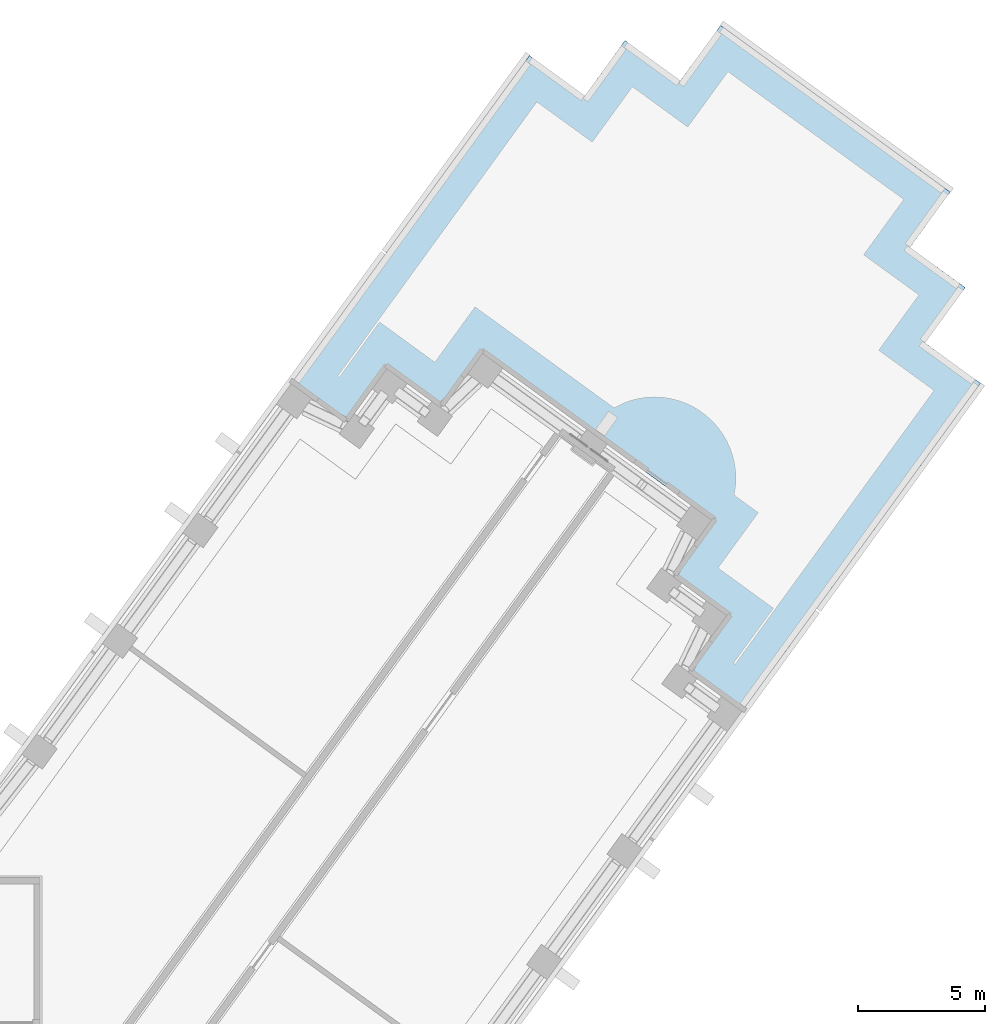
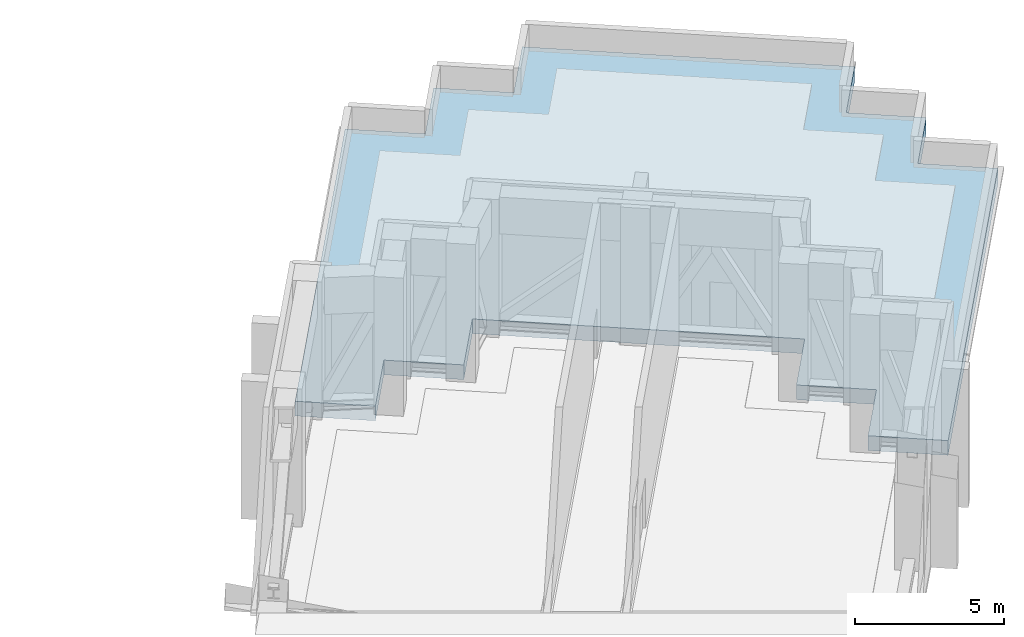
# One storey, part 7 of 18: 1 slab.
"""IFC4 building model written with IfcOpenShell, lengths in metres."""

from ifc_helpers import new_model, si_unit, direction, frame, origin, place, context, subcontext, project, spatial, polyline, outline, extrude, material, layer, layer_set, type_object, element, save


model = new_model("IFC4")

# Units and contexts
model_context = context("Model", 3, precision=1e-05, world=origin(), true_north=direction((0.0, 1.0)))
body_context = subcontext(model_context, "Body", "Model", "MODEL_VIEW")
ifc_project = project(units=[si_unit("LENGTHUNIT", "METRE"), si_unit("AREAUNIT", "SQUARE_METRE"), si_unit("VOLUMEUNIT", "CUBIC_METRE"), si_unit("PLANEANGLEUNIT", "RADIAN"), si_unit("MASSUNIT", "GRAM", prefix="KILO")], contexts=[model_context])

# Site, building, storey
site_placement = place(None, origin())
site = spatial("IfcSite", under=ifc_project, at=site_placement, CompositionType="ELEMENT")
building_placement = place(site_placement, origin())
building = spatial("IfcBuilding", under=site, at=building_placement, Name="Quipu Civic Tower", CompositionType="ELEMENT")
storey_placement = place(building_placement, frame((0.0, 0.0, 79.0)))
storey = spatial("IfcBuildingStorey", under=building, at=storey_placement, Name="L18", CompositionType="ELEMENT", Elevation=79.0)

# Slab
ifc_material = material(Name="Concrete C40/50", Category="concrete")
ifc_layer = layer(ifc_material, 0.60009765625)
ifc_layer_set = layer_set([ifc_layer], Name="Concrete C40/50")
slab_type = type_object("IfcSlabType", Name="Roof slab 600 C40/50", PredefinedType="ROOF", material=ifc_layer_set)
slab_placement = place(storey_placement, frame((0.0, 0.0, -0.60009765625)))
element("IfcSlab", 1, at=slab_placement, inside=storey, type_object=slab_type, Name="Setback roof slab L18", PredefinedType="ROOF", context=body_context, shape_type="SweptSolid", body=[
    extrude(outline(polyline([(39.5, 40.9599609375), (41.0849609375, 43.14501953125), (43.27001953125, 41.56005859375), (44.860107421875, 43.739990234375), (53.919921875, 37.159912109375), (52.3349609375, 34.97509765625), (54.514892578125, 33.389892578125), (52.929931640625, 31.205078125), (55.114990234375, 29.614990234375), (45.7099609375, 16.669921875), (43.52490234375, 18.260009765625), (45.114990234375, 20.445068359375), (42.929931640625, 22.030029296875), (44.514892578125, 24.215087890625), (35.455078125, 30.800048828125), (33.864990234375, 28.614990234375), (31.68505859375, 30.199951171875), (30.094970703125, 28.014892578125), (27.909912109375, 29.60498046875), (37.31494140625, 42.550048828125), (39.5, 40.9599609375)])), origin(), (0.0, 0.0, 1.0), 0.60009765625),
])

save(model, "model.ifc")
